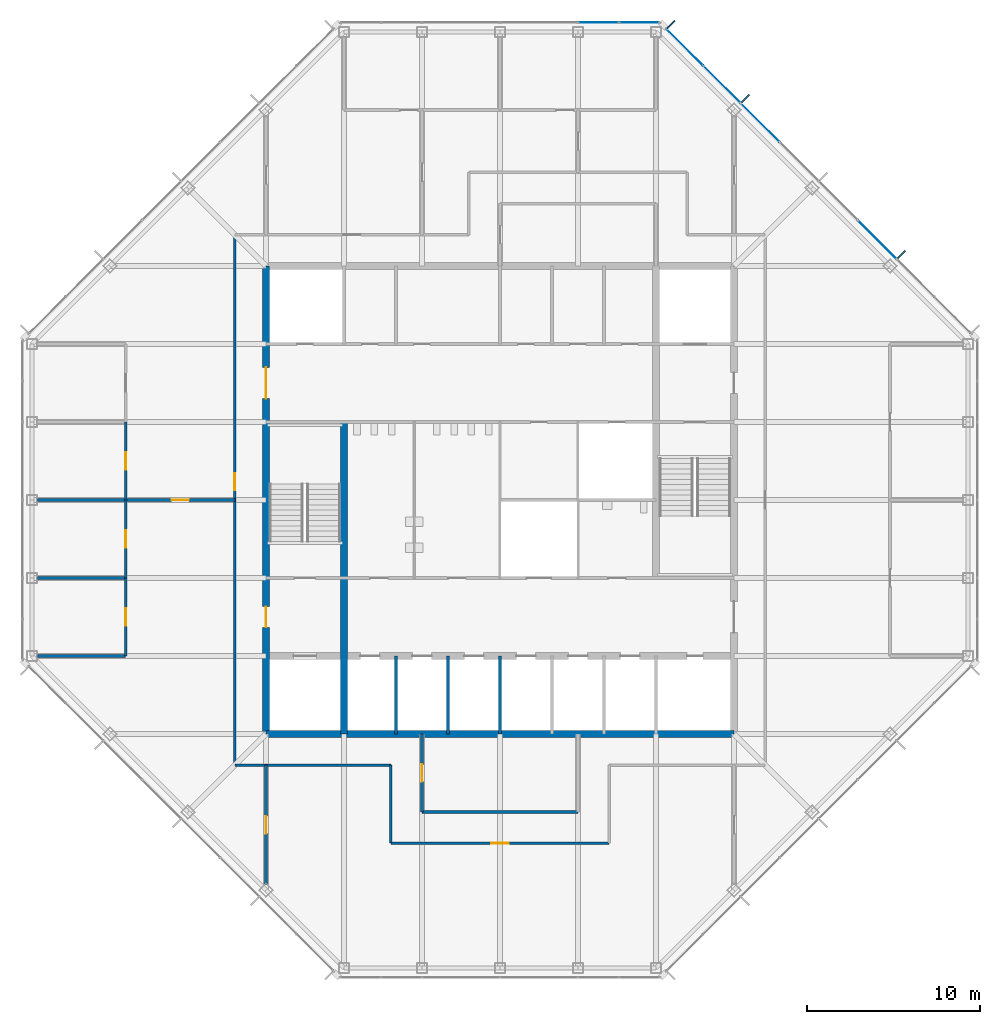
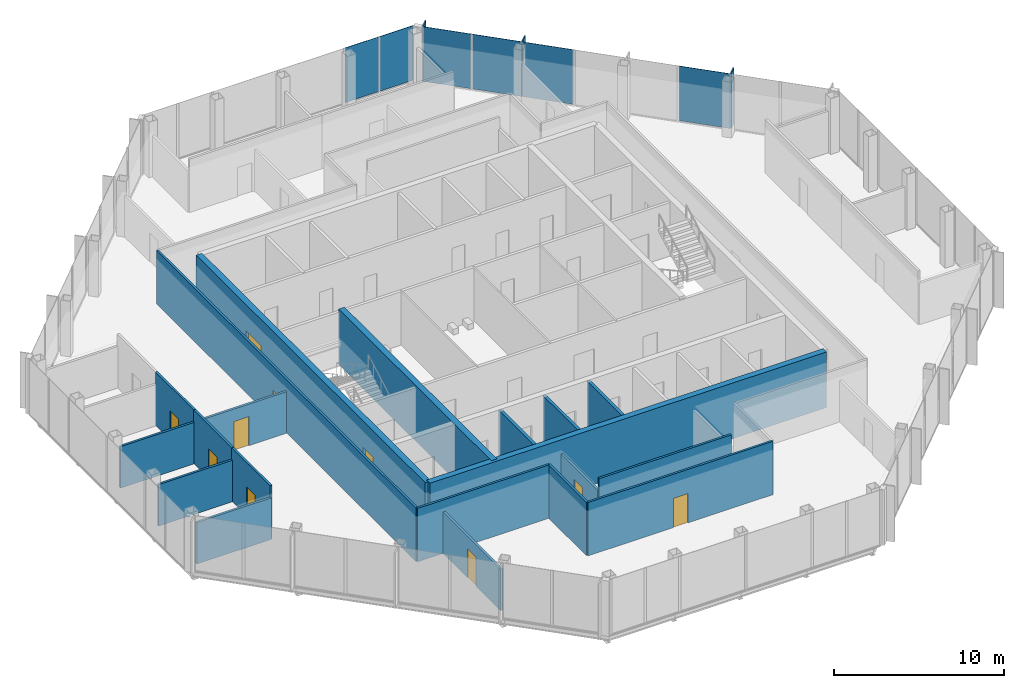
# One storey, part 9 of 14: 20 walls, 10 doors, 9 plates, 10 openings, 2 elements without a shape of their own.
"""IFC4 building model written with IfcOpenShell, lengths in metres."""

from ifc_helpers import new_model, si_unit, direction, frame, frame_2d, origin, origin_2d, place, context, subcontext, project, spatial, rectangle, extrude, material, layer, layer_set, type_object, element, fill, aggregate, save


model = new_model("IFC4")

# Units and contexts
model_context = context("Model", 3, precision=1e-05, world=origin(), true_north=direction((0.0, 1.0)))
body_context = subcontext(model_context, "Body", "Model", "MODEL_VIEW")
ifc_project = project(units=[si_unit("LENGTHUNIT", "METRE"), si_unit("AREAUNIT", "SQUARE_METRE"), si_unit("VOLUMEUNIT", "CUBIC_METRE"), si_unit("PLANEANGLEUNIT", "RADIAN"), si_unit("MASSUNIT", "GRAM", prefix="KILO")], contexts=[model_context])

# Site, building, storey
site_placement = place(None, origin())
site = spatial("IfcSite", under=ifc_project, at=site_placement, CompositionType="ELEMENT")
building_placement = place(site_placement, origin())
building = spatial("IfcBuilding", under=site, at=building_placement, Name="Corais Broadcast Tower", CompositionType="ELEMENT")
storey_placement = place(building_placement, frame((0.0, 0.0, 266.60009765625)))
storey = spatial("IfcBuildingStorey", under=building, at=storey_placement, Name="L62", CompositionType="ELEMENT", Elevation=266.60009765625)

# Curtain wall, plate
ifc_material_1 = material(Name="Aluminium and glass", Category="aluminium")
curtain_wall_type = type_object("IfcCurtainWallType", Name="Unitised fritted curtain wall CW3", PredefinedType="NOTDEFINED", material=ifc_material_1)
curtain_wall_1_placement = place(storey_placement, origin())
curtain_wall_1 = element("IfcCurtainWall", 1, at=curtain_wall_1_placement, inside=storey, type_object=curtain_wall_type, Name="CW3 curtain wall L62 4", PredefinedType="NOTDEFINED")
ifc_material_2 = material(Name="Ceramic-fritted laminated glass", Category="glass")
ifc_layer_1 = layer(ifc_material_2, 0.02587890625)
ifc_layer_set_1 = layer_set([ifc_layer_1], Name="Ceramic-fritted laminated glass")
plate_type_1 = type_object("IfcPlateType", Name="Fritted glass panel CW3", PredefinedType="CURTAIN_PANEL", material=ifc_layer_set_1)
plate_1_placement = place(storey_placement, frame((32.681884765625, 54.550048828125, 0.06494140625), z_axis=(0.0, 0.0, 1.0), x_axis=(1.0, 0.0, 0.0)))
plate_1 = element("IfcPlate", 2, at=plate_1_placement, type_object=plate_type_1, Name="CW3 panel 5", PredefinedType="CURTAIN_PANEL", context=body_context, shape_type="SweptSolid", body=[
    extrude(rectangle(XDim=2.298828125, YDim=0.02587890625, at=origin_2d()), origin(), (0.0, 0.0, 1.0), 3.93505859375),
])

# Curtain wall, plates
curtain_wall_2_placement = place(storey_placement, origin())
curtain_wall_2 = element("IfcCurtainWall", 3, at=curtain_wall_2_placement, inside=storey, type_object=curtain_wall_type, Name="CW3 curtain wall L62 5", PredefinedType="NOTDEFINED")
plate_2_placement = place(storey_placement, frame((37.669677734375, 53.108154296875, 0.06494140625), z_axis=(0.0, 0.0, 1.0), x_axis=(0.707106781187, -0.707106781187, 0.0)))
plate_2 = element("IfcPlate", 4, at=plate_2_placement, type_object=plate_type_1, Name="CW3 panel 1", PredefinedType="CURTAIN_PANEL", context=body_context, shape_type="SweptSolid", body=[
    extrude(rectangle(XDim=2.9482421875, YDim=0.02587890625, at=origin_2d()), origin(), (0.0, 0.0, 1.0), 3.93505859375),
])
plate_3_placement = place(storey_placement, frame((42.013916015625, 48.763916015625, 0.06494140625), z_axis=(0.0, 0.0, 1.0), x_axis=(0.707106781187, -0.707106781187, 0.0)))
plate_3 = element("IfcPlate", 5, at=plate_3_placement, type_object=plate_type_1, Name="CW3 panel 3", PredefinedType="CURTAIN_PANEL", context=body_context, shape_type="SweptSolid", body=[
    extrude(rectangle(XDim=3.116943359375, YDim=0.02587890625, at=origin_2d()), origin(), (0.0, 0.0, 1.0), 3.93505859375),
])

# Plate
ifc_material_3 = material(Name="Clear laminated glass", Category="glass")
ifc_layer_2 = layer(ifc_material_3, 0.030029296875)
ifc_layer_set_2 = layer_set([ifc_layer_2], Name="Clear laminated glass")
plate_type_2 = type_object("IfcPlateType", Name="Operable glass panel CW3", PredefinedType="CURTAIN_PANEL", material=ifc_layer_set_2)
plate_4_placement = place(storey_placement, frame((35.029541015625, 54.550048828125, 0.06494140625), z_axis=(0.0, 0.0, 1.0), x_axis=(1.0, 0.0, 0.0)))
plate_4 = element("IfcPlate", 6, at=plate_4_placement, type_object=plate_type_2, Name="CW3 operable panel 6", PredefinedType="CURTAIN_PANEL", context=body_context, shape_type="SweptSolid", body=[
    extrude(rectangle(XDim=2.266357421875, YDim=0.030029296875, at=origin_2d()), origin(), (0.0, 0.0, 1.0), 3.93505859375),
])

aggregate(curtain_wall_1, [plate_1, plate_4])

plate_5_placement = place(storey_placement, frame((39.81201171875, 50.9658203125, 0.06494140625), z_axis=(0.0, 0.0, 1.0), x_axis=(0.707106781187, -0.707106781187, 0.0)))
plate_5 = element("IfcPlate", 7, at=plate_5_placement, type_object=plate_type_2, Name="CW3 operable panel 2", PredefinedType="CURTAIN_PANEL", context=body_context, shape_type="SweptSolid", body=[
    extrude(rectangle(XDim=2.98095703125, YDim=0.030029296875, at=origin_2d()), origin(), (0.0, 0.0, 1.0), 3.93505859375),
])

plate_6_placement = place(storey_placement, frame((48.763916015625, 42.013916015625, 0.06494140625), z_axis=(0.0, 0.0, 1.0), x_axis=(0.707106781187, -0.707106781187, 0.0)))
plate_6 = element("IfcPlate", 8, at=plate_6_placement, type_object=plate_type_2, Name="CW3 operable panel 6", PredefinedType="CURTAIN_PANEL", context=body_context, shape_type="SweptSolid", body=[
    extrude(rectangle(XDim=3.116943359375, YDim=0.030029296875, at=origin_2d()), origin(), (0.0, 0.0, 1.0), 3.93505859375),
])

aggregate(curtain_wall_2, [plate_2, plate_5, plate_3, plate_6])

# Plates
ifc_material_4 = material(Name="Granite stone cladding", Category="masonry")
ifc_layer_3 = layer(ifc_material_4, 0.080078125)
ifc_layer_set_3 = layer_set([ifc_layer_3], Name="Granite stone cladding")
plate_type_3 = type_object("IfcPlateType", Name="Stone screen fin 80x600", PredefinedType="USERDEFINED", material=ifc_layer_set_3)
for number, where, z_axis, x_axis, name in (
    (9, (36.870849609375, 54.43994140625, 0.0), (0.0, 0.0, 1.0), (0.707106781187, -0.707106781187, 0.0), "SF1 stone screen fin L62"),
    (10, (41.155517578125, 50.155517578125, 0.0), (0.0, 0.0, 1.0), (0.707106781187, -0.707106781187, 0.0), "SF1 stone screen fin L62"),
    (11, (50.155517578125, 41.155517578125, 0.0), (0.0, 0.0, 1.0), (0.707106781187, -0.707106781187, 0.0), "SF1 stone screen fin L62"),
):
    element("IfcPlate", number, at=place(storey_placement, frame(where, z_axis=z_axis, x_axis=x_axis)), inside=storey, type_object=plate_type_3, Name=name, ObjectType="STONE SCREEN FIN", PredefinedType="USERDEFINED", context=body_context, shape_type="SweptSolid", body=[
        extrude(rectangle(XDim=0.080078125, YDim=0.60009765625, at=origin_2d()), origin(), (0.0, 0.0, 1.0), 4.0),
    ])

# Wall
ifc_material_5 = material(Name="Concrete C50/60", Category="concrete")
ifc_layer_4 = layer(ifc_material_5, 0.39990234375)
ifc_layer_set_4 = layer_set([ifc_layer_4], Name="Concrete C50/60")
wall_type_1 = type_object("IfcWallType", Name="Core wall 400", PredefinedType="SHEAR", material=ifc_layer_set_4)
wall_1_placement = place(storey_placement, frame((13.5, 13.5, 0.0), z_axis=(0.0, 0.0, 1.0), x_axis=(1.0, 0.0, 0.0)))
element("IfcWall", 12, at=wall_1_placement, inside=storey, type_object=wall_type_1, Name="CR400 core wall S L62", PredefinedType="SHEAR", context=body_context, shape_type="SweptSolid", body=[
    extrude(rectangle(XDim=27.0, YDim=0.39990234375, at=frame_2d((13.5, 0.0))), origin(), (0.0, 0.0, 1.0), 4.0),
])

# Wall, openings, doors
wall_2_placement = place(storey_placement, frame((13.5, 40.5, 0.0), z_axis=(0.0, 0.0, 1.0), x_axis=(0.0, -1.0, 0.0)))
wall_2 = element("IfcWall", 13, at=wall_2_placement, inside=storey, type_object=wall_type_1, Name="CR400 core wall W L62", PredefinedType="SHEAR", context=body_context, shape_type="SweptSolid", body=[
    extrude(rectangle(XDim=27.0, YDim=0.39990234375, at=frame_2d((13.5, 0.0))), origin(), (0.0, 0.0, 1.0), 4.0),
])
opening_1_placement = place(wall_2_placement, frame((19.64990234375, 0.0, 0.0)))
opening_1 = element("IfcOpeningElement", 14, at=opening_1_placement, cuts=wall_2, Name="Opening FD1", PredefinedType="OPENING", context=body_context, shape_type="SweptSolid", body=[
    extrude(rectangle(XDim=1.199951171875, YDim=2.10009765625, at=frame_2d((0.60009765625, 1.050048828125))), frame((0.0, 0.2099609375, 0.0), z_axis=(0.0, -1.0, 0.0), x_axis=(1.0, 0.0, 0.0)), (0.0, 0.0, 1.0), 0.419921875),
])
opening_2_placement = place(wall_2_placement, frame((5.85009765625, 0.0, 0.0)))
opening_2 = element("IfcOpeningElement", 15, at=opening_2_placement, cuts=wall_2, Name="Opening FD2", PredefinedType="OPENING", context=body_context, shape_type="SweptSolid", body=[
    extrude(rectangle(XDim=1.800048828125, YDim=2.10009765625, at=frame_2d((0.89990234375, 1.050048828125))), frame((0.0, 0.2099609375, 0.0), z_axis=(0.0, -1.0, 0.0), x_axis=(1.0, 0.0, 0.0)), (0.0, 0.0, 1.0), 0.419921875),
])
ifc_material_6 = material(Name="Steel fire door", Category="steel")
door_type_1 = type_object("IfcDoorType", Name="Fire door 1200x2100", OperationType="SINGLE_SWING_LEFT", PredefinedType="DOOR", material=ifc_material_6)
door_1_placement = place(opening_1_placement, origin())
door_1 = element("IfcDoor", 16, at=door_1_placement, inside=storey, type_object=door_type_1, Name="FD1 fire lobby A door L62", OperationType="SINGLE_SWING_RIGHT", OverallHeight=2.10009765625, OverallWidth=1.199951171875, PredefinedType="DOOR", context=body_context, shape_type="SweptSolid", body=[
    extrude(rectangle(XDim=1.199951171875, YDim=2.10009765625, at=frame_2d((0.60009765625, 1.050048828125))), frame((0.0, 0.02490234375, 0.0), z_axis=(0.0, -1.0, 0.0), x_axis=(1.0, 0.0, 0.0)), (0.0, 0.0, 1.0), 0.050048828125),
])
fill(opening_1, door_1)
ifc_material_7 = material(Name="Steel fire door", Category="steel")
door_type_2 = type_object("IfcDoorType", Name="Fire door pair 1800x2100", OperationType="DOUBLE_DOOR_SINGLE_SWING", PredefinedType="DOOR", material=ifc_material_7)
door_2_placement = place(opening_2_placement, origin())
door_2 = element("IfcDoor", 17, at=door_2_placement, inside=storey, type_object=door_type_2, Name="FD2 lift lobby door L62", OperationType="SINGLE_SWING_LEFT", OverallHeight=2.10009765625, OverallWidth=1.800048828125, PredefinedType="DOOR", context=body_context, shape_type="SweptSolid", body=[
    extrude(rectangle(XDim=1.800048828125, YDim=2.10009765625, at=frame_2d((0.89990234375, 1.050048828125))), frame((0.0, 0.02490234375, 0.0), z_axis=(0.0, -1.0, 0.0), x_axis=(1.0, 0.0, 0.0)), (0.0, 0.0, 1.0), 0.050048828125),
])
fill(opening_2, door_2)

# Wall
wall_3_placement = place(storey_placement, frame((18.0, 13.5, 0.0), z_axis=(0.0, 0.0, 1.0), x_axis=(0.0, 1.0, 0.0)))
element("IfcWall", 18, at=wall_3_placement, inside=storey, type_object=wall_type_1, Name="CR400 core wall X18A L62", PredefinedType="SHEAR", context=body_context, shape_type="SweptSolid", body=[
    extrude(rectangle(XDim=18.0, YDim=0.39990234375, at=frame_2d((9.0, 0.0))), origin(), (0.0, 0.0, 1.0), 4.0),
])

# Wall, opening, door
ifc_material_8 = material(Name="Gypsum board on steel studs", Category="steel")
ifc_layer_5 = layer(ifc_material_8, 0.14990234375)
ifc_layer_set_5 = layer_set([ifc_layer_5], Name="Gypsum board on steel studs")
wall_type_2 = type_object("IfcWallType", Name="Partition 150", PredefinedType="PARTITIONING", material=ifc_layer_set_5)
wall_4_placement = place(storey_placement, frame((11.699951171875, 42.300048828125, 0.0), z_axis=(0.0, 0.0, 1.0), x_axis=(0.0, -1.0, 0.0)))
wall_4 = element("IfcWall", 19, at=wall_4_placement, inside=storey, type_object=wall_type_2, Name="IW3 corridor wall L62", PredefinedType="PARTITIONING", context=body_context, shape_type="SweptSolid", body=[
    extrude(rectangle(XDim=30.60009765625, YDim=0.14990234375, at=frame_2d((15.300048828125, 0.0))), origin(), (0.0, 0.0, 1.0), 3.83984375),
])
opening_3_placement = place(wall_4_placement, frame((13.75, 0.0, 0.0)))
opening_3 = element("IfcOpeningElement", 20, at=opening_3_placement, cuts=wall_4, Name="Opening D1", PredefinedType="OPENING", context=body_context, shape_type="SweptSolid", body=[
    extrude(rectangle(XDim=1.0, YDim=2.10009765625, at=frame_2d((0.5, 1.050048828125))), frame((0.0, 0.0849609375, 0.0), z_axis=(0.0, -1.0, 0.0), x_axis=(1.0, 0.0, 0.0)), (0.0, 0.0, 1.0), 0.169921875),
])
ifc_material_9 = material(Name="Timber door", Category="wood")
door_type_3 = type_object("IfcDoorType", Name="Single door 1000x2100", OperationType="SINGLE_SWING_LEFT", PredefinedType="DOOR", material=ifc_material_9)
door_3_placement = place(opening_3_placement, origin())
door_3 = element("IfcDoor", 21, at=door_3_placement, inside=storey, type_object=door_type_3, Name="D1 workplace door L62", OperationType="SINGLE_SWING_LEFT", OverallHeight=2.10009765625, OverallWidth=1.0, PredefinedType="DOOR", context=body_context, shape_type="SweptSolid", body=[
    extrude(rectangle(XDim=1.0, YDim=2.10009765625, at=frame_2d((0.5, 1.050048828125))), frame((0.0, 0.02490234375, 0.0), z_axis=(0.0, -1.0, 0.0), x_axis=(1.0, 0.0, 0.0)), (0.0, 0.0, 1.0), 0.050048828125),
])
fill(opening_3, door_3)

wall_5_placement = place(storey_placement, frame((20.699951171875, 7.199951171875, 0.0), z_axis=(0.0, 0.0, 1.0), x_axis=(1.0, 0.0, 0.0)))
wall_5 = element("IfcWall", 22, at=wall_5_placement, inside=storey, type_object=wall_type_2, Name="IW3 corridor wall L62", PredefinedType="PARTITIONING", context=body_context, shape_type="SweptSolid", body=[
    extrude(rectangle(XDim=12.60009765625, YDim=0.14990234375, at=frame_2d((6.300048828125, 0.0))), origin(), (0.0, 0.0, 1.0), 3.83984375),
])
opening_4_placement = place(wall_5_placement, frame((5.800048828125, 0.0, 0.0)))
opening_4 = element("IfcOpeningElement", 23, at=opening_4_placement, cuts=wall_5, Name="Opening D1", PredefinedType="OPENING", context=body_context, shape_type="SweptSolid", body=[
    extrude(rectangle(XDim=1.0, YDim=2.10009765625, at=frame_2d((0.5, 1.050048828125))), frame((0.0, 0.0849609375, 0.0), z_axis=(0.0, -1.0, 0.0), x_axis=(1.0, 0.0, 0.0)), (0.0, 0.0, 1.0), 0.169921875),
])
door_4_placement = place(opening_4_placement, origin())
door_4 = element("IfcDoor", 24, at=door_4_placement, inside=storey, type_object=door_type_3, Name="D1 workplace door L62", OperationType="SINGLE_SWING_LEFT", OverallHeight=2.10009765625, OverallWidth=1.0, PredefinedType="DOOR", context=body_context, shape_type="SweptSolid", body=[
    extrude(rectangle(XDim=1.0, YDim=2.10009765625, at=frame_2d((0.5, 1.050048828125))), frame((0.0, 0.02490234375, 0.0), z_axis=(0.0, -1.0, 0.0), x_axis=(1.0, 0.0, 0.0)), (0.0, 0.0, 1.0), 0.050048828125),
])
fill(opening_4, door_4)

# Walls
wall_6_placement = place(storey_placement, frame((11.699951171875, 11.699951171875, 0.0), z_axis=(0.0, 0.0, 1.0), x_axis=(1.0, 0.0, 0.0)))
element("IfcWall", 25, at=wall_6_placement, inside=storey, type_object=wall_type_2, Name="IW3 corridor wall L62", PredefinedType="PARTITIONING", context=body_context, shape_type="SweptSolid", body=[
    extrude(rectangle(XDim=9.0, YDim=0.14990234375, at=frame_2d((4.5, 0.0))), origin(), (0.0, 0.0, 1.0), 3.83984375),
])
wall_7_placement = place(storey_placement, frame((20.699951171875, 11.699951171875, 0.0), z_axis=(0.0, 0.0, 1.0), x_axis=(0.0, -1.0, 0.0)))
element("IfcWall", 26, at=wall_7_placement, inside=storey, type_object=wall_type_2, Name="IW3 corridor wall L62", PredefinedType="PARTITIONING", context=body_context, shape_type="SweptSolid", body=[
    extrude(rectangle(XDim=4.5, YDim=0.14990234375, at=frame_2d((2.25, 0.0))), origin(), (0.0, 0.0, 1.0), 3.83984375),
])
wall_8_placement = place(storey_placement, frame((0.31005859375, 18.0, 0.0), z_axis=(0.0, 0.0, 1.0), x_axis=(1.0, 0.0, 0.0)))
element("IfcWall", 27, at=wall_8_placement, inside=storey, type_object=wall_type_2, Name="IW3 partition L62", PredefinedType="PARTITIONING", context=body_context, shape_type="SweptSolid", body=[
    extrude(rectangle(XDim=5.08984375, YDim=0.14990234375, at=frame_2d((2.544921875, 0.0))), origin(), (0.0, 0.0, 1.0), 2.989013671875),
])

# Wall, opening, door
wall_9_placement = place(storey_placement, frame((5.39990234375, 18.0, 0.0), z_axis=(0.0, 0.0, 1.0), x_axis=(0.0, 1.0, 0.0)))
wall_9 = element("IfcWall", 28, at=wall_9_placement, inside=storey, type_object=wall_type_2, Name="IW3 partition L62", PredefinedType="PARTITIONING", context=body_context, shape_type="SweptSolid", body=[
    extrude(rectangle(XDim=4.5, YDim=0.14990234375, at=frame_2d((2.25, 0.0))), origin(), (0.0, 0.0, 1.0), 3.83984375),
])
opening_5_placement = place(wall_9_placement, frame((1.75, 0.0, 0.0)))
opening_5 = element("IfcOpeningElement", 29, at=opening_5_placement, cuts=wall_9, Name="Opening D1", PredefinedType="OPENING", context=body_context, shape_type="SweptSolid", body=[
    extrude(rectangle(XDim=1.0, YDim=2.10009765625, at=frame_2d((0.5, 1.050048828125))), frame((0.0, 0.0849609375, 0.0), z_axis=(0.0, -1.0, 0.0), x_axis=(1.0, 0.0, 0.0)), (0.0, 0.0, 1.0), 0.169921875),
])
door_5_placement = place(opening_5_placement, origin())
door_5 = element("IfcDoor", 30, at=door_5_placement, inside=storey, type_object=door_type_3, Name="D1 Office door", OperationType="SINGLE_SWING_LEFT", OverallHeight=2.10009765625, OverallWidth=1.0, PredefinedType="DOOR", context=body_context, shape_type="SweptSolid", body=[
    extrude(rectangle(XDim=1.0, YDim=2.10009765625, at=frame_2d((0.5, 1.050048828125))), frame((0.0, 0.02490234375, 0.0), z_axis=(0.0, -1.0, 0.0), x_axis=(1.0, 0.0, 0.0)), (0.0, 0.0, 1.0), 0.050048828125),
])
fill(opening_5, door_5)

# Wall
wall_10_placement = place(storey_placement, frame((5.39990234375, 22.5, 0.0), z_axis=(0.0, 0.0, 1.0), x_axis=(-1.0, 0.0, 0.0)))
element("IfcWall", 31, at=wall_10_placement, inside=storey, type_object=wall_type_2, Name="IW3 partition L62", PredefinedType="PARTITIONING", context=body_context, shape_type="SweptSolid", body=[
    extrude(rectangle(XDim=5.08984375, YDim=0.14990234375, at=frame_2d((2.544921875, 0.0))), origin(), (0.0, 0.0, 1.0), 2.989013671875),
])

# Wall, opening, door
wall_11_placement = place(storey_placement, frame((5.39990234375, 22.5, 0.0), z_axis=(0.0, 0.0, 1.0), x_axis=(0.0, 1.0, 0.0)))
wall_11 = element("IfcWall", 32, at=wall_11_placement, inside=storey, type_object=wall_type_2, Name="IW3 partition L62", PredefinedType="PARTITIONING", context=body_context, shape_type="SweptSolid", body=[
    extrude(rectangle(XDim=4.5, YDim=0.14990234375, at=frame_2d((2.25, 0.0))), origin(), (0.0, 0.0, 1.0), 3.83984375),
])
opening_6_placement = place(wall_11_placement, frame((1.75, 0.0, 0.0)))
opening_6 = element("IfcOpeningElement", 33, at=opening_6_placement, cuts=wall_11, Name="Opening D1", PredefinedType="OPENING", context=body_context, shape_type="SweptSolid", body=[
    extrude(rectangle(XDim=1.0, YDim=2.10009765625, at=frame_2d((0.5, 1.050048828125))), frame((0.0, 0.0849609375, 0.0), z_axis=(0.0, -1.0, 0.0), x_axis=(1.0, 0.0, 0.0)), (0.0, 0.0, 1.0), 0.169921875),
])
door_6_placement = place(opening_6_placement, origin())
door_6 = element("IfcDoor", 34, at=door_6_placement, inside=storey, type_object=door_type_3, Name="D1 Office door", OperationType="SINGLE_SWING_LEFT", OverallHeight=2.10009765625, OverallWidth=1.0, PredefinedType="DOOR", context=body_context, shape_type="SweptSolid", body=[
    extrude(rectangle(XDim=1.0, YDim=2.10009765625, at=frame_2d((0.5, 1.050048828125))), frame((0.0, 0.02490234375, 0.0), z_axis=(0.0, -1.0, 0.0), x_axis=(1.0, 0.0, 0.0)), (0.0, 0.0, 1.0), 0.050048828125),
])
fill(opening_6, door_6)

# Wall
wall_12_placement = place(storey_placement, frame((5.39990234375, 27.0, 0.0), z_axis=(0.0, 0.0, 1.0), x_axis=(-1.0, 0.0, 0.0)))
element("IfcWall", 35, at=wall_12_placement, inside=storey, type_object=wall_type_2, Name="IW3 partition L62", PredefinedType="PARTITIONING", context=body_context, shape_type="SweptSolid", body=[
    extrude(rectangle(XDim=5.08984375, YDim=0.14990234375, at=frame_2d((2.544921875, 0.0))), origin(), (0.0, 0.0, 1.0), 2.989013671875),
])

# Wall, opening, door
wall_13_placement = place(storey_placement, frame((5.39990234375, 27.0, 0.0), z_axis=(0.0, 0.0, 1.0), x_axis=(0.0, 1.0, 0.0)))
wall_13 = element("IfcWall", 36, at=wall_13_placement, inside=storey, type_object=wall_type_2, Name="IW3 partition L62", PredefinedType="PARTITIONING", context=body_context, shape_type="SweptSolid", body=[
    extrude(rectangle(XDim=4.5, YDim=0.14990234375, at=frame_2d((2.25, 0.0))), origin(), (0.0, 0.0, 1.0), 3.83984375),
])
opening_7_placement = place(wall_13_placement, frame((1.75, 0.0, 0.0)))
opening_7 = element("IfcOpeningElement", 37, at=opening_7_placement, cuts=wall_13, Name="Opening D1", PredefinedType="OPENING", context=body_context, shape_type="SweptSolid", body=[
    extrude(rectangle(XDim=1.0, YDim=2.10009765625, at=frame_2d((0.5, 1.050048828125))), frame((0.0, 0.0849609375, 0.0), z_axis=(0.0, -1.0, 0.0), x_axis=(1.0, 0.0, 0.0)), (0.0, 0.0, 1.0), 0.169921875),
])
door_7_placement = place(opening_7_placement, origin())
door_7 = element("IfcDoor", 38, at=door_7_placement, inside=storey, type_object=door_type_3, Name="D1 Office door", OperationType="SINGLE_SWING_LEFT", OverallHeight=2.10009765625, OverallWidth=1.0, PredefinedType="DOOR", context=body_context, shape_type="SweptSolid", body=[
    extrude(rectangle(XDim=1.0, YDim=2.10009765625, at=frame_2d((0.5, 1.050048828125))), frame((0.0, 0.02490234375, 0.0), z_axis=(0.0, -1.0, 0.0), x_axis=(1.0, 0.0, 0.0)), (0.0, 0.0, 1.0), 0.050048828125),
])
fill(opening_7, door_7)

# Wall
wall_14_placement = place(storey_placement, frame((22.5, 9.0, 0.0), z_axis=(0.0, 0.0, 1.0), x_axis=(1.0, 0.0, 0.0)))
element("IfcWall", 39, at=wall_14_placement, inside=storey, type_object=wall_type_2, Name="IW3 partition L62", PredefinedType="PARTITIONING", context=body_context, shape_type="SweptSolid", body=[
    extrude(rectangle(XDim=9.0, YDim=0.14990234375, at=frame_2d((4.5, 0.0))), origin(), (0.0, 0.0, 1.0), 3.83984375),
])

# Wall, opening, door
wall_15_placement = place(storey_placement, frame((22.5, 13.5, 0.0), z_axis=(0.0, 0.0, 1.0), x_axis=(0.0, -1.0, 0.0)))
wall_15 = element("IfcWall", 40, at=wall_15_placement, inside=storey, type_object=wall_type_2, Name="IW3 partition L62", PredefinedType="PARTITIONING", context=body_context, shape_type="SweptSolid", body=[
    extrude(rectangle(XDim=4.5, YDim=0.14990234375, at=frame_2d((2.25, 0.0))), origin(), (0.0, 0.0, 1.0), 2.989013671875),
])
opening_8_placement = place(wall_15_placement, frame((1.75, 0.0, 0.0)))
opening_8 = element("IfcOpeningElement", 41, at=opening_8_placement, cuts=wall_15, Name="Opening D1", PredefinedType="OPENING", context=body_context, shape_type="SweptSolid", body=[
    extrude(rectangle(XDim=1.0, YDim=2.10009765625, at=frame_2d((0.5, 1.050048828125))), frame((0.0, 0.0849609375, 0.0), z_axis=(0.0, -1.0, 0.0), x_axis=(1.0, 0.0, 0.0)), (0.0, 0.0, 1.0), 0.169921875),
])
door_8_placement = place(opening_8_placement, origin())
door_8 = element("IfcDoor", 42, at=door_8_placement, inside=storey, type_object=door_type_3, Name="D1 Reception door", OperationType="SINGLE_SWING_LEFT", OverallHeight=2.10009765625, OverallWidth=1.0, PredefinedType="DOOR", context=body_context, shape_type="SweptSolid", body=[
    extrude(rectangle(XDim=1.0, YDim=2.10009765625, at=frame_2d((0.5, 1.050048828125))), frame((0.0, 0.02490234375, 0.0), z_axis=(0.0, -1.0, 0.0), x_axis=(1.0, 0.0, 0.0)), (0.0, 0.0, 1.0), 0.050048828125),
])
fill(opening_8, door_8)

wall_16_placement = place(storey_placement, frame((13.5, 4.820068359375, 0.0), z_axis=(0.0, 0.0, 1.0), x_axis=(0.0, 1.0, 0.0)))
wall_16 = element("IfcWall", 43, at=wall_16_placement, inside=storey, type_object=wall_type_2, Name="IW3 partition L62", PredefinedType="PARTITIONING", context=body_context, shape_type="SweptSolid", body=[
    extrude(rectangle(XDim=6.8798828125, YDim=0.14990234375, at=frame_2d((3.43994140625, 0.0))), origin(), (0.0, 0.0, 1.0), 2.989013671875),
])
opening_9_placement = place(wall_16_placement, frame((2.93994140625, 0.0, 0.0)))
opening_9 = element("IfcOpeningElement", 44, at=opening_9_placement, cuts=wall_16, Name="Opening D1", PredefinedType="OPENING", context=body_context, shape_type="SweptSolid", body=[
    extrude(rectangle(XDim=1.0, YDim=2.10009765625, at=frame_2d((0.5, 1.050048828125))), frame((0.0, 0.0849609375, 0.0), z_axis=(0.0, -1.0, 0.0), x_axis=(1.0, 0.0, 0.0)), (0.0, 0.0, 1.0), 0.169921875),
])
door_9_placement = place(opening_9_placement, origin())
door_9 = element("IfcDoor", 45, at=door_9_placement, inside=storey, type_object=door_type_3, Name="D1 team room door L62", OperationType="SINGLE_SWING_LEFT", OverallHeight=2.10009765625, OverallWidth=1.0, PredefinedType="DOOR", context=body_context, shape_type="SweptSolid", body=[
    extrude(rectangle(XDim=1.0, YDim=2.10009765625, at=frame_2d((0.5, 1.050048828125))), frame((0.0, 0.02490234375, 0.0), z_axis=(0.0, -1.0, 0.0), x_axis=(1.0, 0.0, 0.0)), (0.0, 0.0, 1.0), 0.050048828125),
])
fill(opening_9, door_9)

wall_17_placement = place(storey_placement, frame((5.39990234375, 27.0, 0.0), z_axis=(0.0, 0.0, 1.0), x_axis=(1.0, 0.0, 0.0)))
wall_17 = element("IfcWall", 46, at=wall_17_placement, inside=storey, type_object=wall_type_2, Name="IW3 partition L62", PredefinedType="PARTITIONING", context=body_context, shape_type="SweptSolid", body=[
    extrude(rectangle(XDim=6.300048828125, YDim=0.14990234375, at=frame_2d((3.14990234375, 0.0))), origin(), (0.0, 0.0, 1.0), 2.989013671875),
])
opening_10_placement = place(wall_17_placement, frame((2.64990234375, 0.0, 0.0)))
opening_10 = element("IfcOpeningElement", 47, at=opening_10_placement, cuts=wall_17, Name="Opening D1", PredefinedType="OPENING", context=body_context, shape_type="SweptSolid", body=[
    extrude(rectangle(XDim=1.0, YDim=2.10009765625, at=frame_2d((0.5, 1.050048828125))), frame((0.0, 0.0849609375, 0.0), z_axis=(0.0, -1.0, 0.0), x_axis=(1.0, 0.0, 0.0)), (0.0, 0.0, 1.0), 0.169921875),
])
door_10_placement = place(opening_10_placement, origin())
door_10 = element("IfcDoor", 48, at=door_10_placement, inside=storey, type_object=door_type_3, Name="D1 team room door L62", OperationType="SINGLE_SWING_LEFT", OverallHeight=2.10009765625, OverallWidth=1.0, PredefinedType="DOOR", context=body_context, shape_type="SweptSolid", body=[
    extrude(rectangle(XDim=1.0, YDim=2.10009765625, at=frame_2d((0.5, 1.050048828125))), frame((0.0, 0.02490234375, 0.0), z_axis=(0.0, -1.0, 0.0), x_axis=(1.0, 0.0, 0.0)), (0.0, 0.0, 1.0), 0.050048828125),
])
fill(opening_10, door_10)

# Walls
ifc_material_10 = material(Name="Concrete blockwork class A, grouted, two-hour", Category="masonry")
ifc_layer_6 = layer(ifc_material_10, 0.199951171875)
ifc_layer_set_6 = layer_set([ifc_layer_6], Name="Concrete blockwork class A, grouted, two-hour")
wall_type_3 = type_object("IfcWallType", Name="Shaft wall 200", PredefinedType="PARTITIONING", material=ifc_layer_set_6)
for number, where, z_axis, x_axis, name in (
    (49, (21.0, 13.5, 0.0), (0.0, 0.0, 1.0), (0.0, 1.0, 0.0), "IW1 shaft wall L62"),
    (50, (24.0, 13.5, 0.0), (0.0, 0.0, 1.0), (0.0, 1.0, 0.0), "IW1 shaft wall L62"),
    (51, (27.0, 13.5, 0.0), (0.0, 0.0, 1.0), (0.0, 1.0, 0.0), "IW1 shaft wall L62"),
):
    element("IfcWall", number, at=place(storey_placement, frame(where, z_axis=z_axis, x_axis=x_axis)), inside=storey, type_object=wall_type_3, Name=name, PredefinedType="PARTITIONING", context=body_context, shape_type="SweptSolid", body=[
        extrude(rectangle(XDim=4.5, YDim=0.199951171875, at=frame_2d((2.25, 0.0))), origin(), (0.0, 0.0, 1.0), 3.83984375),
    ])

save(model, "model.ifc")
